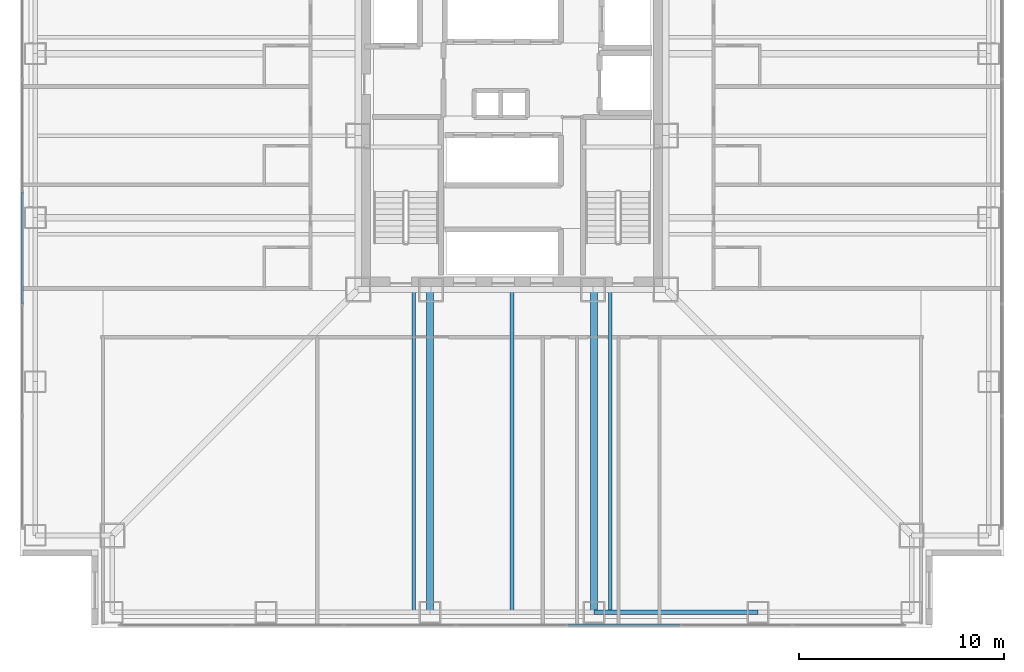
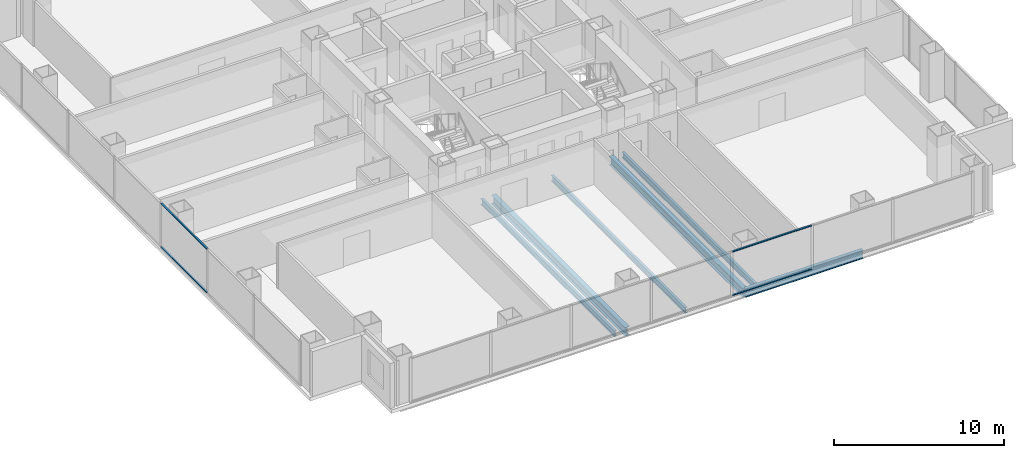
# One storey, part 3 of 16: 6 beams, 4 members, 2 elements without a shape of their own.
"""IFC4 building model written with IfcOpenShell, lengths in metres."""

from ifc_helpers import new_model, si_unit, direction, frame, origin, origin_2d, place, context, subcontext, project, spatial, rectangle, i_section, extrude, material, layer, layer_set, material_profile, profile_set, type_object, element, aggregate, save


model = new_model("IFC4")

# Units and contexts
model_context = context("Model", 3, precision=1e-05, world=origin(), true_north=direction((0.0, 1.0)))
body_context = subcontext(model_context, "Body", "Model", "MODEL_VIEW")
ifc_project = project(units=[si_unit("LENGTHUNIT", "METRE"), si_unit("AREAUNIT", "SQUARE_METRE"), si_unit("VOLUMEUNIT", "CUBIC_METRE"), si_unit("PLANEANGLEUNIT", "RADIAN"), si_unit("MASSUNIT", "GRAM", prefix="KILO")], contexts=[model_context])

# Site, building, storey
site_placement = place(None, origin())
site = spatial("IfcSite", under=ifc_project, at=site_placement, CompositionType="ELEMENT")
building_placement = place(site_placement, origin())
building = spatial("IfcBuilding", under=site, at=building_placement, Name="Trevonay Congress Spire", CompositionType="ELEMENT")
storey_placement = place(building_placement, frame((0.0, 0.0, 51.5)))
storey = spatial("IfcBuildingStorey", under=building, at=storey_placement, Name="L12", CompositionType="ELEMENT", Elevation=51.5)

# Beams
ifc_material_1 = material(Name="Steel ASTM A572 Grade 50", Category="steel")
ifc_material_profile_1 = material_profile(ifc_material_1, i_section(OverallWidth=0.324951171875, OverallDepth=0.615966796875, WebThickness=0.013916015625, FlangeThickness=0.021484375, FilletRadius=0.01806640625, at=origin_2d()), Name="W610x174")
ifc_profile_set_1 = profile_set([ifc_material_profile_1], Name="Steel ASTM A572 Grade 50")
beam_type_1 = type_object("IfcBeamType", Name="BM-GIRD-W610X174", PredefinedType="BEAM", material=ifc_profile_set_1)
for number, where, z_axis, x_axis, name in (
    (1, (-4.0, -7.5, -0.55810546875), (0.0, -1.0, 0.0), (1.0, 0.0, 0.0), "L12 structural beam BM-L12-GS-M"),
    (2, (4.0, -7.5, -0.55810546875), (0.0, -1.0, 0.0), (1.0, 0.0, 0.0), "L12 structural beam BM-L12-GS-P"),
):
    element("IfcBeam", number, at=place(storey_placement, frame(where, z_axis=z_axis, x_axis=x_axis)), inside=storey, type_object=beam_type_1, Name=name, PredefinedType="BEAM", context=body_context, shape_type="SweptSolid", body=[
        extrude(i_section(OverallWidth=0.324951171875, OverallDepth=0.615966796875, WebThickness=0.013916015625, FlangeThickness=0.021484375, FilletRadius=0.01806640625, at=origin_2d()), origin(), (0.0, 0.0, 1.0), 15.75),
    ])
ifc_material_profile_2 = material_profile(ifc_material_1, i_section(OverallWidth=0.22998046875, OverallDepth=0.616943359375, WebThickness=0.01318359375, FlangeThickness=0.022216796875, FilletRadius=0.01611328125, at=origin_2d()), Name="W610x140")
ifc_profile_set_2 = profile_set([ifc_material_profile_2], Name="Steel ASTM A572 Grade 50")
beam_type_2 = type_object("IfcBeamType", Name="BM-RING-W610X140", PredefinedType="BEAM", material=ifc_profile_set_2)
beam_placement = place(storey_placement, frame((4.0, -23.25, -0.55859375), z_axis=(1.0, 0.0, 0.0), x_axis=(0.0, 1.0, 0.0)))
element("IfcBeam", 3, at=beam_placement, inside=storey, type_object=beam_type_2, Name="L12 structural beam BM-L12-PS4", PredefinedType="BEAM", context=body_context, shape_type="SweptSolid", body=[
    extrude(i_section(OverallWidth=0.22998046875, OverallDepth=0.616943359375, WebThickness=0.01318359375, FlangeThickness=0.022216796875, FilletRadius=0.01611328125, at=origin_2d()), origin(), (0.0, 0.0, 1.0), 8.0),
])

# Curtain wall, members
ifc_material_2 = material(Name="Pale Anodised Aluminium EN AW-6063-T6", Category="aluminium")
ifc_layer = layer(ifc_material_2, 0.179931640625, Name="Pale Anodised Aluminium EN AW-6063-T6")
ifc_layer_set = layer_set([ifc_layer], Name="Pale Anodised Aluminium EN AW-6063-T6")
curtain_wall_type = type_object("IfcCurtainWallType", Name="CW-SYS02-HOTEL-PALE-METAL", PredefinedType="NOTDEFINED", material=ifc_layer_set)
curtain_wall_1_placement = place(storey_placement, origin())
curtain_wall_1 = element("IfcCurtainWall", 4, at=curtain_wall_1_placement, inside=storey, type_object=curtain_wall_type, Name="L12 S unitised curtain wall", PredefinedType="NOTDEFINED")
ifc_material_profile_3 = material_profile(ifc_material_2, rectangle(XDim=0.1201171875, YDim=0.06005859375, at=origin_2d()), Name="CW-TRANSOM-120-ALUMINIUM")
ifc_profile_set_3 = profile_set([ifc_material_profile_3], Name="Pale Anodised Aluminium EN AW-6063-T6")
member_type = type_object("IfcMemberType", Name="CW-TRANSOM-120-ALUMINIUM", PredefinedType="USERDEFINED", material=ifc_profile_set_3)
member_1_placement = place(storey_placement, frame((2.765625, -23.8798828125, 0.06005859375), z_axis=(1.0, 0.0, 0.0), x_axis=(0.0, 1.0, 0.0)))
member_1 = element("IfcMember", 5, at=member_1_placement, type_object=member_type, Name="CW02 transom 5.1", ObjectType="TRANSOM", PredefinedType="USERDEFINED", context=body_context, shape_type="SweptSolid", body=[
    extrude(rectangle(XDim=0.1201171875, YDim=0.06005859375, at=origin_2d()), origin(), (0.0, 0.0, 1.0), 5.41162109375),
])
member_2_placement = place(storey_placement, frame((2.765625, -23.8798828125, 3.18994140625), z_axis=(1.0, 0.0, 0.0), x_axis=(0.0, 1.0, 0.0)))
member_2 = element("IfcMember", 6, at=member_2_placement, type_object=member_type, Name="CW02 transom 5.2", ObjectType="TRANSOM", PredefinedType="USERDEFINED", context=body_context, shape_type="SweptSolid", body=[
    extrude(rectangle(XDim=0.1201171875, YDim=0.06005859375, at=origin_2d()), origin(), (0.0, 0.0, 1.0), 5.41162109375),
])
aggregate(curtain_wall_1, [member_1, member_2])

curtain_wall_2_placement = place(storey_placement, origin())
curtain_wall_2 = element("IfcCurtainWall", 7, at=curtain_wall_2_placement, inside=storey, type_object=curtain_wall_type, Name="L12 W unitised curtain wall", PredefinedType="NOTDEFINED")
member_3_placement = place(storey_placement, frame((-23.8798828125, -8.17724609375, 0.06005859375), z_axis=(0.0, 1.0, 0.0), x_axis=(-1.0, 0.0, 0.0)))
member_3 = element("IfcMember", 8, at=member_3_placement, type_object=member_type, Name="CW02 transom 3.1", ObjectType="TRANSOM", PredefinedType="USERDEFINED", context=body_context, shape_type="SweptSolid", body=[
    extrude(rectangle(XDim=0.1201171875, YDim=0.06005859375, at=origin_2d()), origin(), (0.0, 0.0, 1.0), 5.41162109375),
])
member_4_placement = place(storey_placement, frame((-23.8798828125, -8.17724609375, 3.18994140625), z_axis=(0.0, 1.0, 0.0), x_axis=(-1.0, 0.0, 0.0)))
member_4 = element("IfcMember", 9, at=member_4_placement, type_object=member_type, Name="CW02 transom 3.2", ObjectType="TRANSOM", PredefinedType="USERDEFINED", context=body_context, shape_type="SweptSolid", body=[
    extrude(rectangle(XDim=0.1201171875, YDim=0.06005859375, at=origin_2d()), origin(), (0.0, 0.0, 1.0), 5.41162109375),
])
aggregate(curtain_wall_2, [member_3, member_4])

# Beams
ifc_material_profile_4 = material_profile(ifc_material_1, i_section(OverallWidth=0.177978515625, OverallDepth=0.406982421875, WebThickness=0.0078125, FlangeThickness=0.0126953125, FilletRadius=0.012939453125, at=origin_2d()), Name="W410x60")
ifc_profile_set_4 = profile_set([ifc_material_profile_4], Name="Steel ASTM A572 Grade 50")
beam_type_3 = type_object("IfcBeamType", Name="JS-COMP-W410X60", PredefinedType="JOIST", material=ifc_profile_set_4)
for number, where, z_axis, x_axis, name in (
    (10, (-4.800048828125, -23.25, -0.45361328125), (0.0, 1.0, 0.0), (-1.0, 0.0, 0.0), "L12 structural beam JS-L12-NS-S1"),
    (11, (0.0, -23.25, -0.45361328125), (0.0, 1.0, 0.0), (-1.0, 0.0, 0.0), "L12 structural beam JS-L12-NS-S2"),
    (12, (4.800048828125, -23.25, -0.45361328125), (0.0, 1.0, 0.0), (-1.0, 0.0, 0.0), "L12 structural beam JS-L12-NS-S3"),
):
    element("IfcBeam", number, at=place(storey_placement, frame(where, z_axis=z_axis, x_axis=x_axis)), inside=storey, type_object=beam_type_3, Name=name, PredefinedType="JOIST", context=body_context, shape_type="SweptSolid", body=[
        extrude(i_section(OverallWidth=0.177978515625, OverallDepth=0.406982421875, WebThickness=0.0078125, FlangeThickness=0.0126953125, FilletRadius=0.012939453125, at=origin_2d()), origin(), (0.0, 0.0, 1.0), 15.75),
    ])

save(model, "model.ifc")
